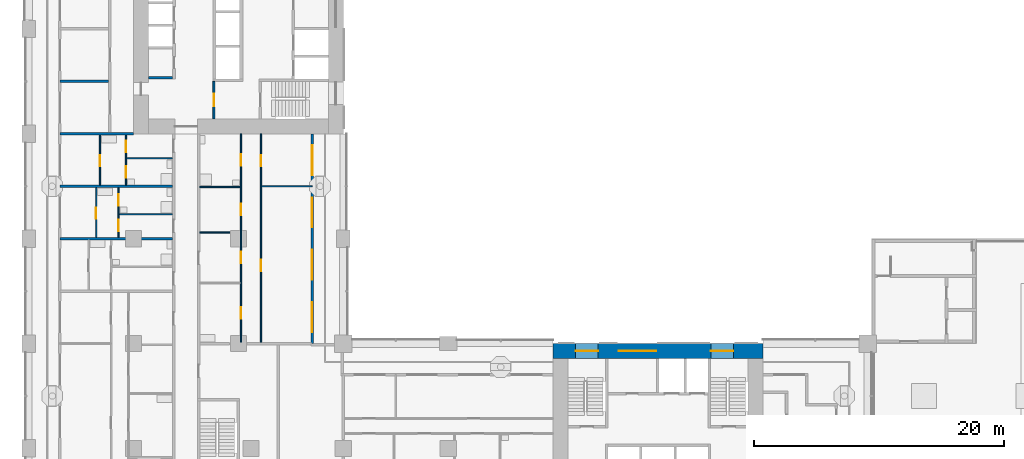
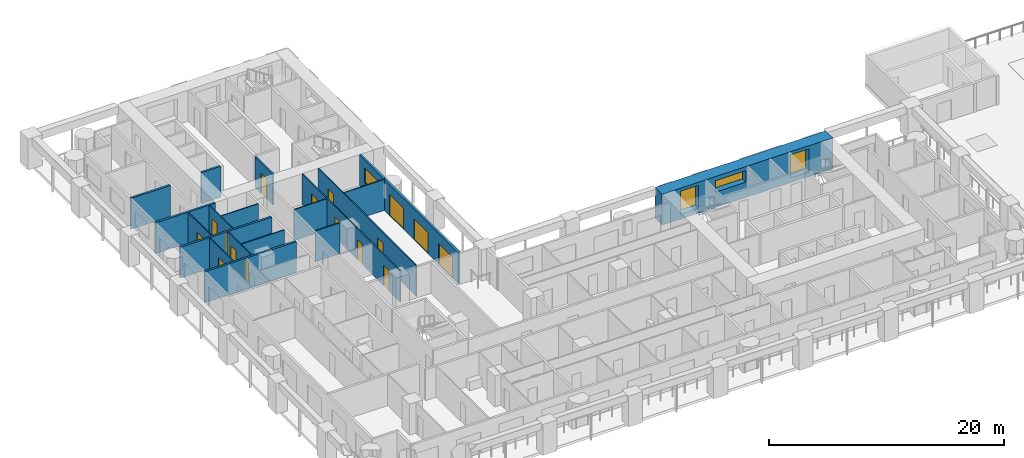
# One storey, part 8 of 23: 19 walls, 16 doors, 4 windows, 20 openings.
"""IFC4 building model written with IfcOpenShell, lengths in metres."""

from ifc_helpers import new_model, si_unit, direction, frame, frame_2d, origin, place, context, subcontext, project, spatial, rectangle, extrude, material, layer, layer_set, type_object, element, fill, save


model = new_model("IFC4")

# Units and contexts
model_context = context("Model", 3, precision=1e-05, world=origin(), true_north=direction((0.0, 1.0)))
body_context = subcontext(model_context, "Body", "Model", "MODEL_VIEW")
ifc_project = project(units=[si_unit("LENGTHUNIT", "METRE"), si_unit("AREAUNIT", "SQUARE_METRE"), si_unit("VOLUMEUNIT", "CUBIC_METRE"), si_unit("PLANEANGLEUNIT", "RADIAN"), si_unit("MASSUNIT", "GRAM", prefix="KILO")], contexts=[model_context])

# Site, building, storey
site_placement = place(None, origin())
site = spatial("IfcSite", under=ifc_project, at=site_placement, CompositionType="ELEMENT")
building_placement = place(site_placement, origin())
building = spatial("IfcBuilding", under=site, at=building_placement, Name="Vermilion Gate Residences", CompositionType="ELEMENT")
storey_placement = place(building_placement, frame((0.0, 0.0, 25.199951171875)))
storey = spatial("IfcBuildingStorey", under=building, at=storey_placement, Name="L04", CompositionType="ELEMENT", Elevation=25.199951171875)

# Wall, opening, door
ifc_material_1 = material(Name="Masonry blockwork", Category="masonry")
ifc_layer_1 = layer(ifc_material_1, 0.14990234375)
ifc_layer_set_1 = layer_set([ifc_layer_1], Name="BLOCKWORK PARTITION 150 EI 120")
wall_type_1 = type_object("IfcWallType", Name="BLOCKWORK PARTITION 150 EI 120", PredefinedType="PARTITIONING", material=ifc_layer_set_1)
wall_1_placement = place(storey_placement, frame((14.824951171875, 46.199951171875, 0.0), z_axis=(0.0, 0.0, 1.0), x_axis=(0.0, -1.0, 0.0)))
wall_1 = element("IfcWall", 1, at=wall_1_placement, inside=storey, type_object=wall_type_1, Name="Core room partition B04-VE-S", PredefinedType="PARTITIONING", context=body_context, shape_type="SweptSolid", body=[
    extrude(rectangle(XDim=3.0, YDim=0.14990234375, at=frame_2d((1.5, 0.0))), origin(), (0.0, 0.0, 1.0), 3.219970703125),
])
opening_1_placement = place(wall_1_placement, frame((1.0, 0.0, 0.0)))
opening_1 = element("IfcOpeningElement", 2, at=opening_1_placement, cuts=wall_1, Name="Opening DK04113", PredefinedType="OPENING", context=body_context, shape_type="SweptSolid", body=[
    extrude(rectangle(XDim=1.0, YDim=2.10009765625, at=frame_2d((0.5, 1.050048828125))), frame((0.0, 0.0849609375, 0.0), z_axis=(0.0, -1.0, 0.0), x_axis=(1.0, 0.0, 0.0)), (0.0, 0.0, 1.0), 0.169921875),
])
ifc_material_2 = material(Name="Steel", Category="steel")
door_type_1 = type_object("IfcDoorType", Name="FIRE DOOR FD60 1000 X 2100", OperationType="SINGLE_SWING_LEFT", PredefinedType="DOOR", material=ifc_material_2)
door_1_placement = place(opening_1_placement, frame((1.0, 0.0, 0.0), z_axis=(0.0, 0.0, 1.0), x_axis=(-1.0, 0.0, 0.0)))
door_1 = element("IfcDoor", 3, at=door_1_placement, inside=storey, type_object=door_type_1, Name="Stair vestibule door B04", OperationType="SINGLE_SWING_LEFT", OverallHeight=2.10009765625, OverallWidth=1.0, PredefinedType="DOOR", context=body_context, shape_type="SweptSolid", body=[
    extrude(rectangle(XDim=1.0, YDim=2.10009765625, at=frame_2d((0.5, 1.050048828125))), frame((0.0, 0.02490234375, 0.0), z_axis=(0.0, -1.0, 0.0), x_axis=(1.0, 0.0, 0.0)), (0.0, 0.0, 1.0), 0.050048828125),
])
fill(opening_1, door_1)

# Wall, openings, doors, window
ifc_material_3 = material(Name="Insulated steel stud wall with terracotta rainscreen", Category="masonry")
ifc_layer_2 = layer(ifc_material_3, 0.199951171875)
ifc_layer_set_2 = layer_set([ifc_layer_2], Name="EXTERNAL WALL 200 TERRACOTTA RAINSCREEN")
wall_type_2 = type_object("IfcWallType", Name="EXTERNAL WALL 200 TERRACOTTA RAINSCREEN", PredefinedType="SOLIDWALL", material=ifc_layer_set_2)
wall_2_placement = place(storey_placement, frame((22.699951171875, 25.199951171875, 0.0), z_axis=(0.0, 0.0, 1.0), x_axis=(0.0, 1.0, 0.0)))
wall_2 = element("IfcWall", 4, at=wall_2_placement, inside=storey, type_object=wall_type_2, Name="External wall", PredefinedType="SOLIDWALL", context=body_context, shape_type="SweptSolid", body=[
    extrude(rectangle(XDim=16.800048828125, YDim=0.199951171875, at=frame_2d((8.39990234375, 0.0))), origin(), (0.0, 0.0, 1.0), 3.219970703125),
])
opening_2_placement = place(wall_2_placement, frame((0.89990234375, 0.0, 0.0)))
opening_2 = element("IfcOpeningElement", 5, at=opening_2_placement, cuts=wall_2, Name="Opening DE04037", PredefinedType="OPENING", context=body_context, shape_type="SweptSolid", body=[
    extrude(rectangle(XDim=2.39990234375, YDim=2.199951171875, at=frame_2d((1.199951171875, 1.10009765625))), frame((0.0, 0.10986328125, 0.0), z_axis=(0.0, -1.0, 0.0), x_axis=(1.0, 0.0, 0.0)), (0.0, 0.0, 1.0), 0.219970703125),
])
opening_3_placement = place(wall_2_placement, frame((5.10009765625, 0.0, 0.0)))
opening_3 = element("IfcOpeningElement", 6, at=opening_3_placement, cuts=wall_2, Name="Opening DE04038", PredefinedType="OPENING", context=body_context, shape_type="SweptSolid", body=[
    extrude(rectangle(XDim=2.39990234375, YDim=2.199951171875, at=frame_2d((1.199951171875, 1.10009765625))), frame((0.0, 0.10986328125, 0.0), z_axis=(0.0, -1.0, 0.0), x_axis=(1.0, 0.0, 0.0)), (0.0, 0.0, 1.0), 0.219970703125),
])
opening_4_placement = place(wall_2_placement, frame((9.300048828125, 0.0, 0.0)))
opening_4 = element("IfcOpeningElement", 7, at=opening_4_placement, cuts=wall_2, Name="Opening DE04039", PredefinedType="OPENING", context=body_context, shape_type="SweptSolid", body=[
    extrude(rectangle(XDim=2.39990234375, YDim=2.199951171875, at=frame_2d((1.199951171875, 1.10009765625))), frame((0.0, 0.10986328125, 0.0), z_axis=(0.0, -1.0, 0.0), x_axis=(1.0, 0.0, 0.0)), (0.0, 0.0, 1.0), 0.219970703125),
])
opening_5_placement = place(wall_2_placement, frame((13.5, 0.0, 0.89990234375)))
opening_5 = element("IfcOpeningElement", 8, at=opening_5_placement, cuts=wall_2, Name="Opening WE04040", PredefinedType="OPENING", context=body_context, shape_type="SweptSolid", body=[
    extrude(rectangle(XDim=2.39990234375, YDim=1.5, at=frame_2d((1.199951171875, 0.75))), frame((0.0, 0.10986328125, 0.0), z_axis=(0.0, -1.0, 0.0), x_axis=(1.0, 0.0, 0.0)), (0.0, 0.0, 1.0), 0.219970703125),
])
ifc_material_4 = material(Name="Aluminium and clear glass", Category="aluminium")
door_type_2 = type_object("IfcDoorType", Name="SLIDING GLAZED DOOR 2400 X 2200", OperationType="DOUBLE_DOOR_SLIDING", PredefinedType="DOOR", material=ifc_material_4)
door_2_placement = place(opening_2_placement, origin())
door_2 = element("IfcDoor", 9, at=door_2_placement, inside=storey, type_object=door_type_2, Name="Loggia sliding door", OperationType="DOUBLE_DOOR_SLIDING", OverallHeight=2.199951171875, OverallWidth=2.39990234375, PredefinedType="DOOR", context=body_context, shape_type="SweptSolid", body=[
    extrude(rectangle(XDim=2.39990234375, YDim=2.199951171875, at=frame_2d((1.199951171875, 1.10009765625))), frame((0.0, 0.02490234375, 0.0), z_axis=(0.0, -1.0, 0.0), x_axis=(1.0, 0.0, 0.0)), (0.0, 0.0, 1.0), 0.050048828125),
])
fill(opening_2, door_2)
door_3_placement = place(opening_3_placement, origin())
door_3 = element("IfcDoor", 10, at=door_3_placement, inside=storey, type_object=door_type_2, Name="Loggia sliding door", OperationType="DOUBLE_DOOR_SLIDING", OverallHeight=2.199951171875, OverallWidth=2.39990234375, PredefinedType="DOOR", context=body_context, shape_type="SweptSolid", body=[
    extrude(rectangle(XDim=2.39990234375, YDim=2.199951171875, at=frame_2d((1.199951171875, 1.10009765625))), frame((0.0, 0.02490234375, 0.0), z_axis=(0.0, -1.0, 0.0), x_axis=(1.0, 0.0, 0.0)), (0.0, 0.0, 1.0), 0.050048828125),
])
fill(opening_3, door_3)
door_4_placement = place(opening_4_placement, origin())
door_4 = element("IfcDoor", 11, at=door_4_placement, inside=storey, type_object=door_type_2, Name="Loggia sliding door", OperationType="DOUBLE_DOOR_SLIDING", OverallHeight=2.199951171875, OverallWidth=2.39990234375, PredefinedType="DOOR", context=body_context, shape_type="SweptSolid", body=[
    extrude(rectangle(XDim=2.39990234375, YDim=2.199951171875, at=frame_2d((1.199951171875, 1.10009765625))), frame((0.0, 0.02490234375, 0.0), z_axis=(0.0, -1.0, 0.0), x_axis=(1.0, 0.0, 0.0)), (0.0, 0.0, 1.0), 0.050048828125),
])
fill(opening_4, door_4)
ifc_material_5 = material(Name="Aluminium and clear glass", Category="aluminium")
window_type_1 = type_object("IfcWindowType", Name="WINDOW 2400 X 1500", PartitioningType="SINGLE_PANEL", PredefinedType="WINDOW", material=ifc_material_5)
window_1_placement = place(opening_5_placement, origin())
window_1 = element("IfcWindow", 12, at=window_1_placement, inside=storey, type_object=window_type_1, Name="Window", OverallHeight=1.5, OverallWidth=2.39990234375, PartitioningType="SINGLE_PANEL", PredefinedType="WINDOW", context=body_context, shape_type="SweptSolid", body=[
    extrude(rectangle(XDim=2.39990234375, YDim=1.5, at=frame_2d((1.199951171875, 0.75))), frame((0.0, 0.030029296875, 0.0), z_axis=(0.0, -1.0, 0.0), x_axis=(1.0, 0.0, 0.0)), (0.0, 0.0, 1.0), 0.06005859375),
])
fill(opening_5, window_1)

# Walls
ifc_material_6 = material(Name="Plasterboard on steel studs", Category="steel")
ifc_layer_3 = layer(ifc_material_6, 0.10009765625)
ifc_layer_set_3 = layer_set([ifc_layer_3], Name="PARTITION 100")
wall_type_3 = type_object("IfcWallType", Name="PARTITION 100", PredefinedType="PARTITIONING", material=ifc_layer_set_3)
wall_3_placement = place(storey_placement, frame((13.699951171875, 34.10009765625, 0.0), z_axis=(0.0, 0.0, 1.0), x_axis=(1.0, 0.0, 0.0)))
element("IfcWall", 13, at=wall_3_placement, inside=storey, type_object=wall_type_3, Name="Partition", PredefinedType="PARTITIONING", context=body_context, shape_type="SweptSolid", body=[
    extrude(rectangle(XDim=2.400146484375, YDim=0.10009765625, at=frame_2d((1.2001953125, 0.0))), origin(), (0.0, 0.0, 1.0), 3.219970703125),
])
wall_4_placement = place(storey_placement, frame((7.25, 35.56005859375, 0.0), z_axis=(0.0, 0.0, 1.0), x_axis=(1.0, 0.0, 0.0)))
element("IfcWall", 14, at=wall_4_placement, inside=storey, type_object=wall_type_3, Name="Partition", PredefinedType="PARTITIONING", context=body_context, shape_type="SweptSolid", body=[
    extrude(rectangle(XDim=4.25, YDim=0.10009765625, at=frame_2d((2.125, 0.0))), origin(), (0.0, 0.0, 1.0), 3.219970703125),
])
wall_5_placement = place(storey_placement, frame((13.699951171875, 37.75, 0.0), z_axis=(0.0, 0.0, 1.0), x_axis=(1.0, 0.0, 0.0)))
element("IfcWall", 15, at=wall_5_placement, inside=storey, type_object=wall_type_3, Name="Partition", PredefinedType="PARTITIONING", context=body_context, shape_type="SweptSolid", body=[
    extrude(rectangle(XDim=3.25, YDim=0.10009765625, at=frame_2d((1.625, 0.0))), origin(), (0.0, 0.0, 1.0), 3.219970703125),
])
wall_6_placement = place(storey_placement, frame((18.64990234375, 37.800048828125, 0.0), z_axis=(0.0, 0.0, 1.0), x_axis=(1.0, 0.0, 0.0)))
element("IfcWall", 16, at=wall_6_placement, inside=storey, type_object=wall_type_3, Name="Partition", PredefinedType="PARTITIONING", context=body_context, shape_type="SweptSolid", body=[
    extrude(rectangle(XDim=4.050048828125, YDim=0.10009765625, at=frame_2d((2.02490234375, 0.0))), origin(), (0.0, 0.0, 1.0), 3.219970703125),
])
wall_7_placement = place(storey_placement, frame((7.85009765625, 40.0400390625, 0.0), z_axis=(0.0, 0.0, 1.0), x_axis=(1.0, 0.0, 0.0)))
element("IfcWall", 17, at=wall_7_placement, inside=storey, type_object=wall_type_3, Name="Partition", PredefinedType="PARTITIONING", context=body_context, shape_type="SweptSolid", body=[
    extrude(rectangle(XDim=3.64990234375, YDim=0.10009765625, at=frame_2d((1.824951171875, 0.0))), origin(), (0.0, 0.0, 1.0), 3.219970703125),
])

# Wall, opening, door
wall_8_placement = place(storey_placement, frame((5.39990234375, 33.699951171875, 0.0), z_axis=(0.0, 0.0, 1.0), x_axis=(0.0, 1.0, 0.0)))
wall_8 = element("IfcWall", 18, at=wall_8_placement, inside=storey, type_object=wall_type_3, Name="Partition", PredefinedType="PARTITIONING", context=body_context, shape_type="SweptSolid", body=[
    extrude(rectangle(XDim=4.0, YDim=0.10009765625, at=frame_2d((2.0, 0.0))), origin(), (0.0, 0.0, 1.0), 3.219970703125),
])
opening_6_placement = place(wall_8_placement, frame((1.5, 0.0, 0.0)))
opening_6 = element("IfcOpeningElement", 19, at=opening_6_placement, cuts=wall_8, Name="Opening DA04033", PredefinedType="OPENING", context=body_context, shape_type="SweptSolid", body=[
    extrude(rectangle(XDim=0.89990234375, YDim=2.10009765625, at=frame_2d((0.449951171875, 1.050048828125))), frame((0.0, 0.06005859375, 0.0), z_axis=(0.0, -1.0, 0.0), x_axis=(1.0, 0.0, 0.0)), (0.0, 0.0, 1.0), 0.1201171875),
])
ifc_material_7 = material(Name="Timber", Category="wood")
door_type_3 = type_object("IfcDoorType", Name="INTERIOR DOOR 900 X 2100", OperationType="SINGLE_SWING_LEFT", PredefinedType="DOOR", material=ifc_material_7)
door_5_placement = place(opening_6_placement, frame((0.89990234375, 0.0, 0.0), z_axis=(0.0, 0.0, 1.0), x_axis=(-1.0, 0.0, 0.0)))
door_5 = element("IfcDoor", 20, at=door_5_placement, inside=storey, type_object=door_type_3, Name="Interior door", OperationType="SINGLE_SWING_LEFT", OverallHeight=2.10009765625, OverallWidth=0.89990234375, PredefinedType="DOOR", context=body_context, shape_type="SweptSolid", body=[
    extrude(rectangle(XDim=0.89990234375, YDim=2.10009765625, at=frame_2d((0.449951171875, 1.050048828125))), frame((0.0, 0.02490234375, 0.0), z_axis=(0.0, -1.0, 0.0), x_axis=(1.0, 0.0, 0.0)), (0.0, 0.0, 1.0), 0.050048828125),
])
fill(opening_6, door_5)

wall_9_placement = place(storey_placement, frame((5.699951171875, 37.89990234375, 0.0), z_axis=(0.0, 0.0, 1.0), x_axis=(0.0, 1.0, 0.0)))
wall_9 = element("IfcWall", 21, at=wall_9_placement, inside=storey, type_object=wall_type_3, Name="Partition", PredefinedType="PARTITIONING", context=body_context, shape_type="SweptSolid", body=[
    extrude(rectangle(XDim=4.0, YDim=0.10009765625, at=frame_2d((2.0, 0.0))), origin(), (0.0, 0.0, 1.0), 3.219970703125),
])
opening_7_placement = place(wall_9_placement, frame((1.5, 0.0, 0.0)))
opening_7 = element("IfcOpeningElement", 22, at=opening_7_placement, cuts=wall_9, Name="Opening DA04034", PredefinedType="OPENING", context=body_context, shape_type="SweptSolid", body=[
    extrude(rectangle(XDim=0.89990234375, YDim=2.10009765625, at=frame_2d((0.449951171875, 1.050048828125))), frame((0.0, 0.06005859375, 0.0), z_axis=(0.0, -1.0, 0.0), x_axis=(1.0, 0.0, 0.0)), (0.0, 0.0, 1.0), 0.1201171875),
])
door_6_placement = place(opening_7_placement, frame((0.89990234375, 0.0, 0.0), z_axis=(0.0, 0.0, 1.0), x_axis=(-1.0, 0.0, 0.0)))
door_6 = element("IfcDoor", 23, at=door_6_placement, inside=storey, type_object=door_type_3, Name="Interior door", OperationType="SINGLE_SWING_LEFT", OverallHeight=2.10009765625, OverallWidth=0.89990234375, PredefinedType="DOOR", context=body_context, shape_type="SweptSolid", body=[
    extrude(rectangle(XDim=0.89990234375, YDim=2.10009765625, at=frame_2d((0.449951171875, 1.050048828125))), frame((0.0, 0.02490234375, 0.0), z_axis=(0.0, -1.0, 0.0), x_axis=(1.0, 0.0, 0.0)), (0.0, 0.0, 1.0), 0.050048828125),
])
fill(opening_7, door_6)

# Wall, openings, doors
wall_10_placement = place(storey_placement, frame((7.199951171875, 33.699951171875, 0.0), z_axis=(0.0, 0.0, 1.0), x_axis=(0.0, 1.0, 0.0)))
wall_10 = element("IfcWall", 24, at=wall_10_placement, inside=storey, type_object=wall_type_3, Name="Partition", PredefinedType="PARTITIONING", context=body_context, shape_type="SweptSolid", body=[
    extrude(rectangle(XDim=4.0, YDim=0.10009765625, at=frame_2d((2.0, 0.0))), origin(), (0.0, 0.0, 1.0), 3.219970703125),
])
opening_8_placement = place(wall_10_placement, frame((0.5, 0.0, 0.0)))
opening_8 = element("IfcOpeningElement", 25, at=opening_8_placement, cuts=wall_10, Name="Opening DA04042", PredefinedType="OPENING", context=body_context, shape_type="SweptSolid", body=[
    extrude(rectangle(XDim=0.89990234375, YDim=2.10009765625, at=frame_2d((0.449951171875, 1.050048828125))), frame((0.0, 0.06005859375, 0.0), z_axis=(0.0, -1.0, 0.0), x_axis=(1.0, 0.0, 0.0)), (0.0, 0.0, 1.0), 0.1201171875),
])
opening_9_placement = place(wall_10_placement, frame((2.56005859375, 0.0, 0.0)))
opening_9 = element("IfcOpeningElement", 26, at=opening_9_placement, cuts=wall_10, Name="Opening DA04043", PredefinedType="OPENING", context=body_context, shape_type="SweptSolid", body=[
    extrude(rectangle(XDim=0.89990234375, YDim=2.10009765625, at=frame_2d((0.449951171875, 1.050048828125))), frame((0.0, 0.06005859375, 0.0), z_axis=(0.0, -1.0, 0.0), x_axis=(1.0, 0.0, 0.0)), (0.0, 0.0, 1.0), 0.1201171875),
])
door_7_placement = place(opening_8_placement, origin())
door_7 = element("IfcDoor", 27, at=door_7_placement, inside=storey, type_object=door_type_3, Name="Interior door", OperationType="SINGLE_SWING_LEFT", OverallHeight=2.10009765625, OverallWidth=0.89990234375, PredefinedType="DOOR", context=body_context, shape_type="SweptSolid", body=[
    extrude(rectangle(XDim=0.89990234375, YDim=2.10009765625, at=frame_2d((0.449951171875, 1.050048828125))), frame((0.0, 0.02490234375, 0.0), z_axis=(0.0, -1.0, 0.0), x_axis=(1.0, 0.0, 0.0)), (0.0, 0.0, 1.0), 0.050048828125),
])
fill(opening_8, door_7)
door_8_placement = place(opening_9_placement, origin())
door_8 = element("IfcDoor", 28, at=door_8_placement, inside=storey, type_object=door_type_3, Name="Interior door", OperationType="SINGLE_SWING_LEFT", OverallHeight=2.10009765625, OverallWidth=0.89990234375, PredefinedType="DOOR", context=body_context, shape_type="SweptSolid", body=[
    extrude(rectangle(XDim=0.89990234375, YDim=2.10009765625, at=frame_2d((0.449951171875, 1.050048828125))), frame((0.0, 0.02490234375, 0.0), z_axis=(0.0, -1.0, 0.0), x_axis=(1.0, 0.0, 0.0)), (0.0, 0.0, 1.0), 0.050048828125),
])
fill(opening_9, door_8)

wall_11_placement = place(storey_placement, frame((7.800048828125, 37.89990234375, 0.0), z_axis=(0.0, 0.0, 1.0), x_axis=(0.0, 1.0, 0.0)))
wall_11 = element("IfcWall", 29, at=wall_11_placement, inside=storey, type_object=wall_type_3, Name="Partition", PredefinedType="PARTITIONING", context=body_context, shape_type="SweptSolid", body=[
    extrude(rectangle(XDim=4.0, YDim=0.10009765625, at=frame_2d((2.0, 0.0))), origin(), (0.0, 0.0, 1.0), 3.219970703125),
])
opening_10_placement = place(wall_11_placement, frame((2.639892578125, 0.0, 0.0)))
opening_10 = element("IfcOpeningElement", 30, at=opening_10_placement, cuts=wall_11, Name="Opening DA04044", PredefinedType="OPENING", context=body_context, shape_type="SweptSolid", body=[
    extrude(rectangle(XDim=0.89990234375, YDim=2.10009765625, at=frame_2d((0.449951171875, 1.050048828125))), frame((0.0, 0.06005859375, 0.0), z_axis=(0.0, -1.0, 0.0), x_axis=(1.0, 0.0, 0.0)), (0.0, 0.0, 1.0), 0.1201171875),
])
opening_11_placement = place(wall_11_placement, frame((0.60009765625, 0.0, 0.0)))
opening_11 = element("IfcOpeningElement", 31, at=opening_11_placement, cuts=wall_11, Name="Opening DA04045", PredefinedType="OPENING", context=body_context, shape_type="SweptSolid", body=[
    extrude(rectangle(XDim=0.89990234375, YDim=2.10009765625, at=frame_2d((0.449951171875, 1.050048828125))), frame((0.0, 0.06005859375, 0.0), z_axis=(0.0, -1.0, 0.0), x_axis=(1.0, 0.0, 0.0)), (0.0, 0.0, 1.0), 0.1201171875),
])
door_9_placement = place(opening_10_placement, origin())
door_9 = element("IfcDoor", 32, at=door_9_placement, inside=storey, type_object=door_type_3, Name="Interior door", OperationType="SINGLE_SWING_LEFT", OverallHeight=2.10009765625, OverallWidth=0.89990234375, PredefinedType="DOOR", context=body_context, shape_type="SweptSolid", body=[
    extrude(rectangle(XDim=0.89990234375, YDim=2.10009765625, at=frame_2d((0.449951171875, 1.050048828125))), frame((0.0, 0.02490234375, 0.0), z_axis=(0.0, -1.0, 0.0), x_axis=(1.0, 0.0, 0.0)), (0.0, 0.0, 1.0), 0.050048828125),
])
fill(opening_10, door_9)
door_10_placement = place(opening_11_placement, frame((0.89990234375, 0.0, 0.0), z_axis=(0.0, 0.0, 1.0), x_axis=(-1.0, 0.0, 0.0)))
door_10 = element("IfcDoor", 33, at=door_10_placement, inside=storey, type_object=door_type_3, Name="Interior door", OperationType="SINGLE_SWING_RIGHT", OverallHeight=2.10009765625, OverallWidth=0.89990234375, PredefinedType="DOOR", context=body_context, shape_type="SweptSolid", body=[
    extrude(rectangle(XDim=0.89990234375, YDim=2.10009765625, at=frame_2d((0.449951171875, 1.050048828125))), frame((0.0, 0.02490234375, 0.0), z_axis=(0.0, -1.0, 0.0), x_axis=(1.0, 0.0, 0.0)), (0.0, 0.0, 1.0), 0.050048828125),
])
fill(opening_11, door_10)

wall_12_placement = place(storey_placement, frame((17.0, 25.300048828125, 0.0), z_axis=(0.0, 0.0, 1.0), x_axis=(0.0, 1.0, 0.0)))
wall_12 = element("IfcWall", 34, at=wall_12_placement, inside=storey, type_object=wall_type_3, Name="Partition", PredefinedType="PARTITIONING", context=body_context, shape_type="SweptSolid", body=[
    extrude(rectangle(XDim=16.699951171875, YDim=0.10009765625, at=frame_2d((8.35009765625, 0.0))), origin(), (0.0, 0.0, 1.0), 3.219970703125),
])
opening_12_placement = place(wall_12_placement, frame((6.35009765625, 0.0, 0.0)))
opening_12 = element("IfcOpeningElement", 35, at=opening_12_placement, cuts=wall_12, Name="Opening DA04059", PredefinedType="OPENING", context=body_context, shape_type="SweptSolid", body=[
    extrude(rectangle(XDim=0.89990234375, YDim=2.10009765625, at=frame_2d((0.449951171875, 1.050048828125))), frame((0.0, 0.06005859375, 0.0), z_axis=(0.0, -1.0, 0.0), x_axis=(1.0, 0.0, 0.0)), (0.0, 0.0, 1.0), 0.1201171875),
])
opening_13_placement = place(wall_12_placement, frame((1.89990234375, 0.0, 0.0)))
opening_13 = element("IfcOpeningElement", 36, at=opening_13_placement, cuts=wall_12, Name="Opening DA04060", PredefinedType="OPENING", context=body_context, shape_type="SweptSolid", body=[
    extrude(rectangle(XDim=0.89990234375, YDim=2.10009765625, at=frame_2d((0.449951171875, 1.050048828125))), frame((0.0, 0.06005859375, 0.0), z_axis=(0.0, -1.0, 0.0), x_axis=(1.0, 0.0, 0.0)), (0.0, 0.0, 1.0), 0.1201171875),
])
opening_14_placement = place(wall_12_placement, frame((10.199951171875, 0.0, 0.0)))
opening_14 = element("IfcOpeningElement", 37, at=opening_14_placement, cuts=wall_12, Name="Opening DA04061", PredefinedType="OPENING", context=body_context, shape_type="SweptSolid", body=[
    extrude(rectangle(XDim=0.89990234375, YDim=2.10009765625, at=frame_2d((0.449951171875, 1.050048828125))), frame((0.0, 0.06005859375, 0.0), z_axis=(0.0, -1.0, 0.0), x_axis=(1.0, 0.0, 0.0)), (0.0, 0.0, 1.0), 0.1201171875),
])
opening_15_placement = place(wall_12_placement, frame((14.14990234375, 0.0, 0.0)))
opening_15 = element("IfcOpeningElement", 38, at=opening_15_placement, cuts=wall_12, Name="Opening DA04062", PredefinedType="OPENING", context=body_context, shape_type="SweptSolid", body=[
    extrude(rectangle(XDim=0.89990234375, YDim=2.10009765625, at=frame_2d((0.449951171875, 1.050048828125))), frame((0.0, 0.06005859375, 0.0), z_axis=(0.0, -1.0, 0.0), x_axis=(1.0, 0.0, 0.0)), (0.0, 0.0, 1.0), 0.1201171875),
])
door_11_placement = place(opening_12_placement, origin())
door_11 = element("IfcDoor", 39, at=door_11_placement, inside=storey, type_object=door_type_3, Name="Interior door", OperationType="SINGLE_SWING_RIGHT", OverallHeight=2.10009765625, OverallWidth=0.89990234375, PredefinedType="DOOR", context=body_context, shape_type="SweptSolid", body=[
    extrude(rectangle(XDim=0.89990234375, YDim=2.10009765625, at=frame_2d((0.449951171875, 1.050048828125))), frame((0.0, 0.02490234375, 0.0), z_axis=(0.0, -1.0, 0.0), x_axis=(1.0, 0.0, 0.0)), (0.0, 0.0, 1.0), 0.050048828125),
])
fill(opening_12, door_11)
door_12_placement = place(opening_13_placement, origin())
door_12 = element("IfcDoor", 40, at=door_12_placement, inside=storey, type_object=door_type_3, Name="Interior door", OperationType="SINGLE_SWING_LEFT", OverallHeight=2.10009765625, OverallWidth=0.89990234375, PredefinedType="DOOR", context=body_context, shape_type="SweptSolid", body=[
    extrude(rectangle(XDim=0.89990234375, YDim=2.10009765625, at=frame_2d((0.449951171875, 1.050048828125))), frame((0.0, 0.02490234375, 0.0), z_axis=(0.0, -1.0, 0.0), x_axis=(1.0, 0.0, 0.0)), (0.0, 0.0, 1.0), 0.050048828125),
])
fill(opening_13, door_12)
door_13_placement = place(opening_14_placement, origin())
door_13 = element("IfcDoor", 41, at=door_13_placement, inside=storey, type_object=door_type_3, Name="Interior door", OperationType="SINGLE_SWING_LEFT", OverallHeight=2.10009765625, OverallWidth=0.89990234375, PredefinedType="DOOR", context=body_context, shape_type="SweptSolid", body=[
    extrude(rectangle(XDim=0.89990234375, YDim=2.10009765625, at=frame_2d((0.449951171875, 1.050048828125))), frame((0.0, 0.02490234375, 0.0), z_axis=(0.0, -1.0, 0.0), x_axis=(1.0, 0.0, 0.0)), (0.0, 0.0, 1.0), 0.050048828125),
])
fill(opening_14, door_13)
door_14_placement = place(opening_15_placement, origin())
door_14 = element("IfcDoor", 42, at=door_14_placement, inside=storey, type_object=door_type_3, Name="Interior door", OperationType="SINGLE_SWING_LEFT", OverallHeight=2.10009765625, OverallWidth=0.89990234375, PredefinedType="DOOR", context=body_context, shape_type="SweptSolid", body=[
    extrude(rectangle(XDim=0.89990234375, YDim=2.10009765625, at=frame_2d((0.449951171875, 1.050048828125))), frame((0.0, 0.02490234375, 0.0), z_axis=(0.0, -1.0, 0.0), x_axis=(1.0, 0.0, 0.0)), (0.0, 0.0, 1.0), 0.050048828125),
])
fill(opening_15, door_14)

wall_13_placement = place(storey_placement, frame((18.60009765625, 25.300048828125, 0.0), z_axis=(0.0, 0.0, 1.0), x_axis=(0.0, 1.0, 0.0)))
wall_13 = element("IfcWall", 43, at=wall_13_placement, inside=storey, type_object=wall_type_3, Name="Partition", PredefinedType="PARTITIONING", context=body_context, shape_type="SweptSolid", body=[
    extrude(rectangle(XDim=16.699951171875, YDim=0.10009765625, at=frame_2d((8.35009765625, 0.0))), origin(), (0.0, 0.0, 1.0), 3.219970703125),
])
opening_16_placement = place(wall_13_placement, frame((5.699951171875, 0.0, 0.0)))
opening_16 = element("IfcOpeningElement", 44, at=opening_16_placement, cuts=wall_13, Name="Opening DA04063", PredefinedType="OPENING", context=body_context, shape_type="SweptSolid", body=[
    extrude(rectangle(XDim=0.89990234375, YDim=2.10009765625, at=frame_2d((0.449951171875, 1.050048828125))), frame((0.0, 0.06005859375, 0.0), z_axis=(0.0, -1.0, 0.0), x_axis=(1.0, 0.0, 0.0)), (0.0, 0.0, 1.0), 0.1201171875),
])
opening_17_placement = place(wall_13_placement, frame((14.10009765625, 0.0, 0.0)))
opening_17 = element("IfcOpeningElement", 45, at=opening_17_placement, cuts=wall_13, Name="Opening DA04064", PredefinedType="OPENING", context=body_context, shape_type="SweptSolid", body=[
    extrude(rectangle(XDim=0.89990234375, YDim=2.10009765625, at=frame_2d((0.449951171875, 1.050048828125))), frame((0.0, 0.06005859375, 0.0), z_axis=(0.0, -1.0, 0.0), x_axis=(1.0, 0.0, 0.0)), (0.0, 0.0, 1.0), 0.1201171875),
])
door_15_placement = place(opening_16_placement, frame((0.89990234375, 0.0, 0.0), z_axis=(0.0, 0.0, 1.0), x_axis=(-1.0, 0.0, 0.0)))
door_15 = element("IfcDoor", 46, at=door_15_placement, inside=storey, type_object=door_type_3, Name="Interior door", OperationType="SINGLE_SWING_RIGHT", OverallHeight=2.10009765625, OverallWidth=0.89990234375, PredefinedType="DOOR", context=body_context, shape_type="SweptSolid", body=[
    extrude(rectangle(XDim=0.89990234375, YDim=2.10009765625, at=frame_2d((0.449951171875, 1.050048828125))), frame((0.0, 0.02490234375, 0.0), z_axis=(0.0, -1.0, 0.0), x_axis=(1.0, 0.0, 0.0)), (0.0, 0.0, 1.0), 0.050048828125),
])
fill(opening_16, door_15)
door_16_placement = place(opening_17_placement, frame((0.89990234375, 0.0, 0.0), z_axis=(0.0, 0.0, 1.0), x_axis=(-1.0, 0.0, 0.0)))
door_16 = element("IfcDoor", 47, at=door_16_placement, inside=storey, type_object=door_type_3, Name="Interior door", OperationType="SINGLE_SWING_RIGHT", OverallHeight=2.10009765625, OverallWidth=0.89990234375, PredefinedType="DOOR", context=body_context, shape_type="SweptSolid", body=[
    extrude(rectangle(XDim=0.89990234375, YDim=2.10009765625, at=frame_2d((0.449951171875, 1.050048828125))), frame((0.0, 0.02490234375, 0.0), z_axis=(0.0, -1.0, 0.0), x_axis=(1.0, 0.0, 0.0)), (0.0, 0.0, 1.0), 0.050048828125),
])
fill(opening_17, door_16)

# Walls
ifc_material_8 = material(Name="Fire-rated plasterboard on steel studs", Category="steel")
ifc_layer_4 = layer(ifc_material_8, 0.199951171875)
ifc_layer_set_4 = layer_set([ifc_layer_4], Name="PARTY WALL 200 EI 120")
wall_type_4 = type_object("IfcWallType", Name="PARTY WALL 200 EI 120", PredefinedType="PARTITIONING", material=ifc_layer_set_4)
for number, where, z_axis, x_axis, name in (
    (48, (2.5, 33.60009765625, 0.0), (0.0, 0.0, 1.0), (1.0, 0.0, 0.0), "Party and corridor wall"),
    (49, (2.5, 37.800048828125, 0.0), (0.0, 0.0, 1.0), (1.0, 0.0, 0.0), "Party and corridor wall"),
):
    element("IfcWall", number, at=place(storey_placement, frame(where, z_axis=z_axis, x_axis=x_axis)), inside=storey, type_object=wall_type_4, Name=name, PredefinedType="PARTITIONING", context=body_context, shape_type="SweptSolid", body=[
        extrude(rectangle(XDim=9.0, YDim=0.199951171875, at=frame_2d((4.5, 0.0))), origin(), (0.0, 0.0, 1.0), 3.219970703125),
    ])
wall_14_placement = place(storey_placement, frame((2.5, 42.0, 0.0), z_axis=(0.0, 0.0, 1.0), x_axis=(1.0, 0.0, 0.0)))
element("IfcWall", 50, at=wall_14_placement, inside=storey, type_object=wall_type_4, Name="Party and corridor wall", PredefinedType="PARTITIONING", context=body_context, shape_type="SweptSolid", body=[
    extrude(rectangle(XDim=5.89990234375, YDim=0.199951171875, at=frame_2d((2.949951171875, 0.0))), origin(), (0.0, 0.0, 1.0), 3.219970703125),
])
wall_15_placement = place(storey_placement, frame((2.5, 46.199951171875, 0.0), z_axis=(0.0, 0.0, 1.0), x_axis=(1.0, 0.0, 0.0)))
element("IfcWall", 51, at=wall_15_placement, inside=storey, type_object=wall_type_4, Name="Party and corridor wall", PredefinedType="PARTITIONING", context=body_context, shape_type="SweptSolid", body=[
    extrude(rectangle(XDim=3.89990234375, YDim=0.199951171875, at=frame_2d((1.949951171875, 0.0))), origin(), (0.0, 0.0, 1.0), 3.219970703125),
])
ifc_material_9 = material(Name="Concrete C60", Category="concrete")
ifc_layer_5 = layer(ifc_material_9, 0.199951171875)
ifc_layer_set_5 = layer_set([ifc_layer_5], Name="RC CORE INTERNAL WALL 200 C60")
wall_type_5 = type_object("IfcWallType", Name="RC CORE INTERNAL WALL 200 C60", PredefinedType="SHEAR", material=ifc_layer_set_5)
wall_16_placement = place(storey_placement, frame((9.60009765625, 46.5, 0.0), z_axis=(0.0, 0.0, 1.0), x_axis=(1.0, 0.0, 0.0)))
element("IfcWall", 52, at=wall_16_placement, inside=storey, type_object=wall_type_5, Name="Core internal wall B04-LR-DE", PredefinedType="SHEAR", context=body_context, shape_type="SweptSolid", body=[
    extrude(rectangle(XDim=1.89990234375, YDim=0.199951171875, at=frame_2d((0.949951171875, 0.0))), origin(), (0.0, 0.0, 1.0), 3.219970703125),
])

# Wall, openings, windows
ifc_material_10 = material(Name="Concrete C80 red-oxide pigmented", Category="concrete")
ifc_layer_6 = layer(ifc_material_10, 1.199951171875)
ifc_layer_set_6 = layer_set([ifc_layer_6], Name="RC CORE WALL 1200 C80 RED OXIDE")
wall_type_6 = type_object("IfcWallType", Name="RC CORE WALL 1200 C80 RED OXIDE", PredefinedType="SHEAR", material=ifc_layer_set_6)
wall_17_placement = place(storey_placement, frame((42.0, 24.60009765625, 0.0), z_axis=(0.0, 0.0, 1.0), x_axis=(1.0, 0.0, 0.0)))
wall_17 = element("IfcWall", 53, at=wall_17_placement, inside=storey, type_object=wall_type_6, Name="Core wall A04-OUT-B1", PredefinedType="SHEAR", context=body_context, shape_type="SweptSolid", body=[
    extrude(rectangle(XDim=16.800048828125, YDim=1.199951171875, at=frame_2d((8.39990234375, 0.0))), origin(), (0.0, 0.0, 1.0), 3.219970703125),
])
opening_18_placement = place(wall_17_placement, frame((1.800048828125, 0.0, 0.5)))
opening_18 = element("IfcOpeningElement", 54, at=opening_18_placement, cuts=wall_17, Name="Opening WKA0401", PredefinedType="OPENING", context=body_context, shape_type="SweptSolid", body=[
    extrude(rectangle(XDim=1.800048828125, YDim=2.39990234375, at=frame_2d((0.89990234375, 1.199951171875))), frame((0.0, 0.60986328125, 0.0), z_axis=(0.0, -1.0, 0.0), x_axis=(1.0, 0.0, 0.0)), (0.0, 0.0, 1.0), 1.219970703125),
])
opening_19_placement = place(wall_17_placement, frame((5.25, 0.0, 1.60009765625)))
opening_19 = element("IfcOpeningElement", 55, at=opening_19_placement, cuts=wall_17, Name="Opening WKA0402", PredefinedType="OPENING", context=body_context, shape_type="SweptSolid", body=[
    extrude(rectangle(XDim=3.0, YDim=1.199951171875, at=frame_2d((1.5, 0.60009765625))), frame((0.0, 0.60986328125, 0.0), z_axis=(0.0, -1.0, 0.0), x_axis=(1.0, 0.0, 0.0)), (0.0, 0.0, 1.0), 1.219970703125),
])
opening_20_placement = place(wall_17_placement, frame((12.64990234375, 0.0, 0.5)))
opening_20 = element("IfcOpeningElement", 56, at=opening_20_placement, cuts=wall_17, Name="Opening WKA0403", PredefinedType="OPENING", context=body_context, shape_type="SweptSolid", body=[
    extrude(rectangle(XDim=1.800048828125, YDim=2.39990234375, at=frame_2d((0.89990234375, 1.199951171875))), frame((0.0, 0.60986328125, 0.0), z_axis=(0.0, -1.0, 0.0), x_axis=(1.0, 0.0, 0.0)), (0.0, 0.0, 1.0), 1.219970703125),
])
ifc_material_11 = material(Name="Aluminium frame with louvre blades", Category="aluminium")
window_type_2 = type_object("IfcWindowType", Name="CORE LOUVRE 3000 X 1200", PartitioningType="SINGLE_PANEL", PredefinedType="WINDOW", material=ifc_material_11)
window_2_placement = place(opening_19_placement, origin())
window_2 = element("IfcWindow", 57, at=window_2_placement, inside=storey, type_object=window_type_2, Name="Core louvre", OverallHeight=1.199951171875, OverallWidth=3.0, PartitioningType="SINGLE_PANEL", PredefinedType="WINDOW", context=body_context, shape_type="SweptSolid", body=[
    extrude(rectangle(XDim=3.0, YDim=1.199951171875, at=frame_2d((1.5, 0.60009765625))), frame((0.0, 0.030029296875, 0.0), z_axis=(0.0, -1.0, 0.0), x_axis=(1.0, 0.0, 0.0)), (0.0, 0.0, 1.0), 0.06005859375),
])
fill(opening_19, window_2)
ifc_material_12 = material(Name="Aluminium and clear glass", Category="aluminium")
window_type_3 = type_object("IfcWindowType", Name="CORE STAIR WINDOW 1800 X 2400", PartitioningType="SINGLE_PANEL", PredefinedType="WINDOW", material=ifc_material_12)
window_3_placement = place(opening_18_placement, origin())
window_3 = element("IfcWindow", 58, at=window_3_placement, inside=storey, type_object=window_type_3, Name="Core stair window", OverallHeight=2.39990234375, OverallWidth=1.800048828125, PartitioningType="SINGLE_PANEL", PredefinedType="WINDOW", context=body_context, shape_type="SweptSolid", body=[
    extrude(rectangle(XDim=1.800048828125, YDim=2.39990234375, at=frame_2d((0.89990234375, 1.199951171875))), frame((0.0, 0.030029296875, 0.0), z_axis=(0.0, -1.0, 0.0), x_axis=(1.0, 0.0, 0.0)), (0.0, 0.0, 1.0), 0.06005859375),
])
fill(opening_18, window_3)
window_4_placement = place(opening_20_placement, origin())
window_4 = element("IfcWindow", 59, at=window_4_placement, inside=storey, type_object=window_type_3, Name="Core stair window", OverallHeight=2.39990234375, OverallWidth=1.800048828125, PartitioningType="SINGLE_PANEL", PredefinedType="WINDOW", context=body_context, shape_type="SweptSolid", body=[
    extrude(rectangle(XDim=1.800048828125, YDim=2.39990234375, at=frame_2d((0.89990234375, 1.199951171875))), frame((0.0, 0.030029296875, 0.0), z_axis=(0.0, -1.0, 0.0), x_axis=(1.0, 0.0, 0.0)), (0.0, 0.0, 1.0), 0.06005859375),
])
fill(opening_20, window_4)

save(model, "model.ifc")
